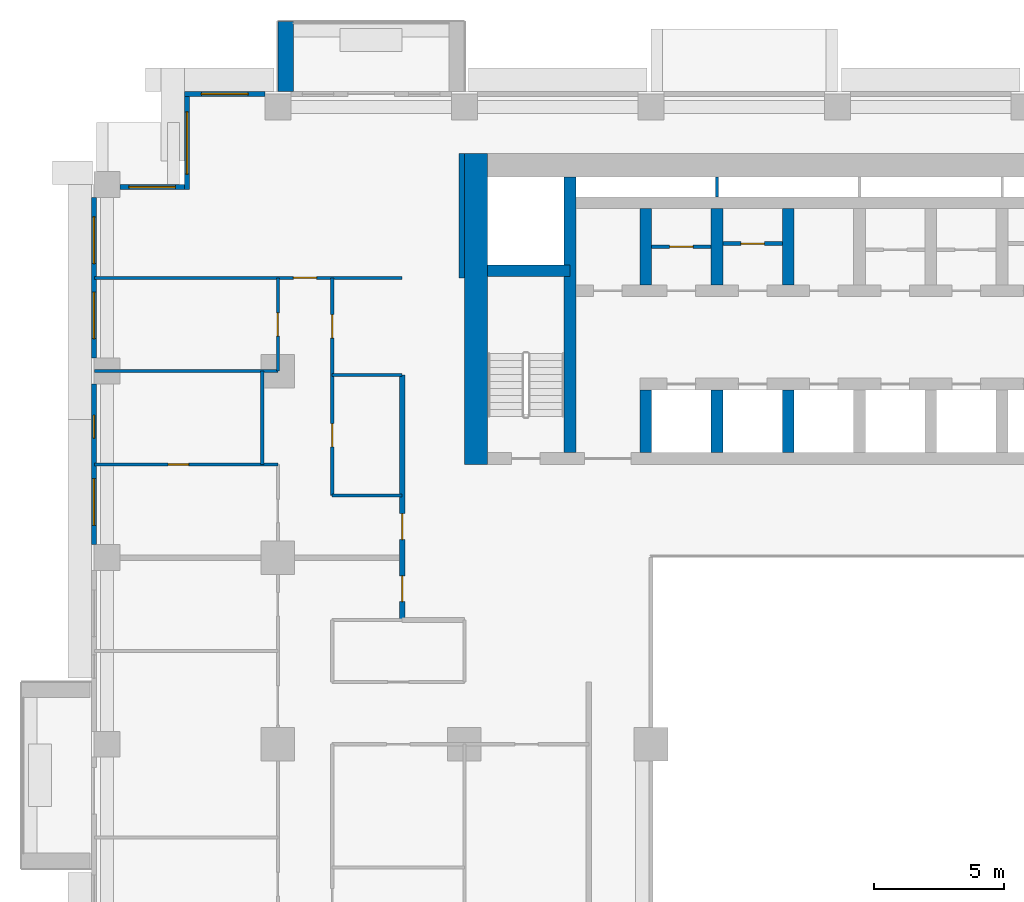
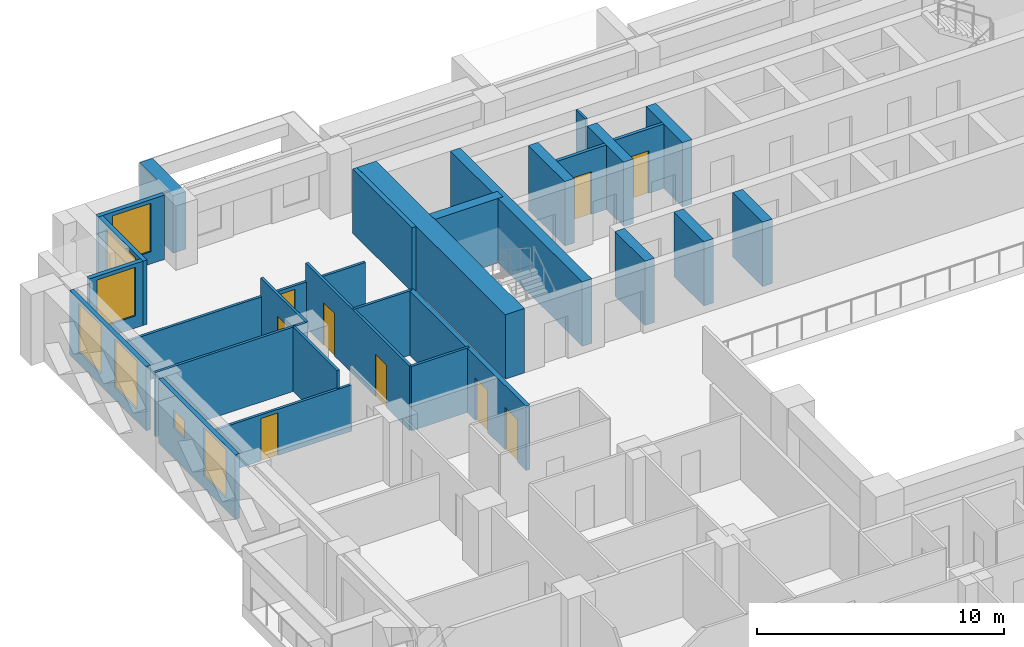
# One storey, part 9 of 16: 28 walls, 9 doors, 7 windows, 16 openings.
"""IFC4 building model written with IfcOpenShell, lengths in metres."""

from ifc_helpers import new_model, si_unit, direction, frame, frame_2d, origin, place, context, subcontext, project, spatial, rectangle, extrude, material, layer, layer_set, type_object, element, fill, save


model = new_model("IFC4")

# Units and contexts
model_context = context("Model", 3, precision=1e-05, world=origin(), true_north=direction((0.0, 1.0)))
body_context = subcontext(model_context, "Body", "Model", "MODEL_VIEW")
ifc_project = project(units=[si_unit("LENGTHUNIT", "METRE"), si_unit("AREAUNIT", "SQUARE_METRE"), si_unit("VOLUMEUNIT", "CUBIC_METRE"), si_unit("PLANEANGLEUNIT", "RADIAN"), si_unit("MASSUNIT", "GRAM", prefix="KILO")], contexts=[model_context])

# Site, building, storey
site_placement = place(None, origin())
site = spatial("IfcSite", under=ifc_project, at=site_placement, CompositionType="ELEMENT")
building_placement = place(site_placement, origin())
building = spatial("IfcBuilding", under=site, at=building_placement, Name="Saffron Iwan Residences", CompositionType="ELEMENT")
storey_placement = place(building_placement, frame((0.0, 0.0, 83.0)))
storey = spatial("IfcBuildingStorey", under=building, at=storey_placement, Name="L21", CompositionType="ELEMENT", Elevation=83.0)

# Wall
ifc_material_1 = material(Name="Concrete C50/60 white painted", Category="concrete")
ifc_layer_1 = layer(ifc_material_1, 0.60009765625)
ifc_layer_set_1 = layer_set([ifc_layer_1], Name="Concrete C50/60 white painted")
wall_type_1 = type_object("IfcWallType", Name="BALCONY FIN 600", PredefinedType="SOLIDWALL", material=ifc_layer_set_1)
wall_1_placement = place(storey_placement, frame((21.89990234375, 80.39990234375, 0.0), z_axis=(0.0, 0.0, 1.0), x_axis=(0.0, 1.0, 0.0)))
element("IfcWall", 1, at=wall_1_placement, inside=storey, type_object=wall_type_1, Name="Balcony fin L21 F5-3b", PredefinedType="SOLIDWALL", context=body_context, shape_type="SweptSolid", body=[
    extrude(rectangle(XDim=2.7001953125, YDim=0.60009765625, at=frame_2d((1.35009765625, 0.0))), origin(), (0.0, 0.0, 1.0), 2.85009765625),
])

# Wall, opening, door
ifc_material_2 = material(Name="Fire-rated plasterboard partition")
ifc_layer_2 = layer(ifc_material_2, 0.14990234375)
ifc_layer_set_2 = layer_set([ifc_layer_2], Name="Fire-rated plasterboard partition")
wall_type_2 = type_object("IfcWallType", Name="Core partition 150", PredefinedType="PARTITIONING", material=ifc_layer_set_2)
wall_2_placement = place(storey_placement, frame((36.02490234375, 74.39990234375, 0.0), z_axis=(0.0, 0.0, 1.0), x_axis=(1.0, 0.0, 0.0)))
wall_2 = element("IfcWall", 2, at=wall_2_placement, inside=storey, type_object=wall_type_2, Name="Core partition P01", PredefinedType="PARTITIONING", context=body_context, shape_type="SweptSolid", body=[
    extrude(rectangle(XDim=2.300048828125, YDim=0.14990234375, at=frame_2d((1.14990234375, 0.0))), origin(), (0.0, 0.0, 1.0), 3.179931640625),
])
opening_1_placement = place(wall_2_placement, frame((0.699951171875, 0.0, 0.0)))
opening_1 = element("IfcOpeningElement", 3, at=opening_1_placement, cuts=wall_2, Name="Opening SB", PredefinedType="OPENING", context=body_context, shape_type="SweptSolid", body=[
    extrude(rectangle(XDim=0.89990234375, YDim=2.10009765625, at=frame_2d((0.449951171875, 1.050048828125))), frame((0.0, 0.0849609375, 0.0), z_axis=(0.0, -1.0, 0.0), x_axis=(1.0, 0.0, 0.0)), (0.0, 0.0, 1.0), 0.169921875),
])
ifc_material_3 = material(Name="Steel fire door", Category="steel")
door_type_1 = type_object("IfcDoorType", Name="Store door 900", OperationType="NOTDEFINED", PredefinedType="DOOR", material=ifc_material_3)
door_1_placement = place(opening_1_placement, origin())
door_1 = element("IfcDoor", 4, at=door_1_placement, inside=storey, type_object=door_type_1, Name="Door Mop store", OperationType="SINGLE_SWING_LEFT", OverallHeight=2.10009765625, OverallWidth=0.89990234375, PredefinedType="DOOR", context=body_context, shape_type="SweptSolid", body=[
    extrude(rectangle(XDim=0.89990234375, YDim=2.10009765625, at=frame_2d((0.449951171875, 1.050048828125))), frame((0.0, 0.02490234375, 0.0), z_axis=(0.0, -1.0, 0.0), x_axis=(1.0, 0.0, 0.0)), (0.0, 0.0, 1.0), 0.050048828125),
])
fill(opening_1, door_1)

wall_3_placement = place(storey_placement, frame((38.77490234375, 74.51806640625, 0.0), z_axis=(0.0, 0.0, 1.0), x_axis=(1.0, 0.0, 0.0)))
wall_3 = element("IfcWall", 5, at=wall_3_placement, inside=storey, type_object=wall_type_2, Name="Core partition P02", PredefinedType="PARTITIONING", context=body_context, shape_type="SweptSolid", body=[
    extrude(rectangle(XDim=2.300048828125, YDim=0.14990234375, at=frame_2d((1.14990234375, 0.0))), origin(), (0.0, 0.0, 1.0), 3.179931640625),
])
opening_2_placement = place(wall_3_placement, frame((0.699951171875, 0.0, 0.0)))
opening_2 = element("IfcOpeningElement", 6, at=opening_2_placement, cuts=wall_3, Name="Opening SB", PredefinedType="OPENING", context=body_context, shape_type="SweptSolid", body=[
    extrude(rectangle(XDim=0.89990234375, YDim=2.10009765625, at=frame_2d((0.449951171875, 1.050048828125))), frame((0.0, 0.0849609375, 0.0), z_axis=(0.0, -1.0, 0.0), x_axis=(1.0, 0.0, 0.0)), (0.0, 0.0, 1.0), 0.169921875),
])
door_2_placement = place(opening_2_placement, origin())
door_2 = element("IfcDoor", 7, at=door_2_placement, inside=storey, type_object=door_type_1, Name="Door Spares store", OperationType="SINGLE_SWING_LEFT", OverallHeight=2.10009765625, OverallWidth=0.89990234375, PredefinedType="DOOR", context=body_context, shape_type="SweptSolid", body=[
    extrude(rectangle(XDim=0.89990234375, YDim=2.10009765625, at=frame_2d((0.449951171875, 1.050048828125))), frame((0.0, 0.02490234375, 0.0), z_axis=(0.0, -1.0, 0.0), x_axis=(1.0, 0.0, 0.0)), (0.0, 0.0, 1.0), 0.050048828125),
])
fill(opening_2, door_2)

# Wall, opening, window
ifc_material_4 = material(Name="Concrete C40/50", Category="concrete")
ifc_layer_3 = layer(ifc_material_4, 0.199951171875)
ifc_layer_set_3 = layer_set([ifc_layer_3], Name="Concrete C40/50")
wall_type_3 = type_object("IfcWallType", Name="EXTERNAL WALL 200", PredefinedType="SOLIDWALL", material=ifc_layer_set_3)
wall_4_placement = place(storey_placement, frame((21.10009765625, 80.300048828125, 0.0), z_axis=(0.0, 0.0, 1.0), x_axis=(-1.0, 0.0, 0.0)))
wall_4 = element("IfcWall", 8, at=wall_4_placement, inside=storey, type_object=wall_type_3, Name="External wall L21 F5.9", PredefinedType="SOLIDWALL", context=body_context, shape_type="SweptSolid", body=[
    extrude(rectangle(XDim=3.10009765625, YDim=0.199951171875, at=frame_2d((1.550048828125, 0.0))), origin(), (0.0, 0.0, 1.0), 3.179931640625),
])
opening_3_placement = place(wall_4_placement, frame((0.64990234375, 0.0, 0.60009765625)))
opening_3 = element("IfcOpeningElement", 9, at=opening_3_placement, cuts=wall_4, Name="Opening W8", PredefinedType="OPENING", context=body_context, shape_type="SweptSolid", body=[
    extrude(rectangle(XDim=1.800048828125, YDim=2.39990234375, at=frame_2d((0.89990234375, 1.199951171875))), frame((0.0, 0.10986328125, 0.0), z_axis=(0.0, -1.0, 0.0), x_axis=(1.0, 0.0, 0.0)), (0.0, 0.0, 1.0), 0.219970703125),
])
ifc_material_5 = material(Name="Clear glass, laminated double glazed", Category="glass")
window_type_1 = type_object("IfcWindowType", Name="WINDOW 1800 x 2400", PartitioningType="DOUBLE_PANEL_VERTICAL", PredefinedType="WINDOW", material=ifc_material_5)
window_1_placement = place(opening_3_placement, origin())
window_1 = element("IfcWindow", 10, at=window_1_placement, inside=storey, type_object=window_type_1, Name="Window L21 F5.0", OverallHeight=2.39990234375, OverallWidth=1.800048828125, PartitioningType="DOUBLE_PANEL_VERTICAL", PredefinedType="WINDOW", context=body_context, shape_type="SweptSolid", body=[
    extrude(rectangle(XDim=1.800048828125, YDim=2.39990234375, at=frame_2d((0.89990234375, 1.199951171875))), frame((0.0, 0.030029296875, 0.0), z_axis=(0.0, -1.0, 0.0), x_axis=(1.0, 0.0, 0.0)), (0.0, 0.0, 1.0), 0.06005859375),
])
fill(opening_3, window_1)

wall_5_placement = place(storey_placement, frame((18.10009765625, 80.199951171875, 0.0), z_axis=(0.0, 0.0, 1.0), x_axis=(0.0, -1.0, 0.0)))
wall_5 = element("IfcWall", 11, at=wall_5_placement, inside=storey, type_object=wall_type_3, Name="External wall L21 F6.0", PredefinedType="SOLIDWALL", context=body_context, shape_type="SweptSolid", body=[
    extrude(rectangle(XDim=3.599853515625, YDim=0.199951171875, at=frame_2d((1.7998046875, 0.0))), origin(), (0.0, 0.0, 1.0), 3.179931640625),
])
opening_4_placement = place(wall_5_placement, frame((0.60009765625, 0.0, 0.60009765625)))
opening_4 = element("IfcOpeningElement", 12, at=opening_4_placement, cuts=wall_5, Name="Opening W1", PredefinedType="OPENING", context=body_context, shape_type="SweptSolid", body=[
    extrude(rectangle(XDim=2.39990234375, YDim=2.39990234375, at=frame_2d((1.199951171875, 1.199951171875))), frame((0.0, 0.10986328125, 0.0), z_axis=(0.0, -1.0, 0.0), x_axis=(1.0, 0.0, 0.0)), (0.0, 0.0, 1.0), 0.219970703125),
])
window_type_2 = type_object("IfcWindowType", Name="WINDOW 2400 x 2400", PartitioningType="DOUBLE_PANEL_VERTICAL", PredefinedType="WINDOW", material=ifc_material_5)
window_2_placement = place(opening_4_placement, origin())
window_2 = element("IfcWindow", 13, at=window_2_placement, inside=storey, type_object=window_type_2, Name="Window L21 F6.0", OverallHeight=2.39990234375, OverallWidth=2.39990234375, PartitioningType="DOUBLE_PANEL_VERTICAL", PredefinedType="WINDOW", context=body_context, shape_type="SweptSolid", body=[
    extrude(rectangle(XDim=2.39990234375, YDim=2.39990234375, at=frame_2d((1.199951171875, 1.199951171875))), frame((0.0, 0.030029296875, 0.0), z_axis=(0.0, -1.0, 0.0), x_axis=(1.0, 0.0, 0.0)), (0.0, 0.0, 1.0), 0.06005859375),
])
fill(opening_4, window_2)

wall_6_placement = place(storey_placement, frame((18.0, 76.699951171875, 0.0), z_axis=(0.0, 0.0, 1.0), x_axis=(-1.0, 0.0, 0.0)))
wall_6 = element("IfcWall", 14, at=wall_6_placement, inside=storey, type_object=wall_type_3, Name="External wall L21 F7.0", PredefinedType="SOLIDWALL", context=body_context, shape_type="SweptSolid", body=[
    extrude(rectangle(XDim=2.5, YDim=0.199951171875, at=frame_2d((1.25, 0.0))), origin(), (0.0, 0.0, 1.0), 3.179931640625),
])
opening_5_placement = place(wall_6_placement, frame((0.35009765625, 0.0, 0.60009765625)))
opening_5 = element("IfcOpeningElement", 15, at=opening_5_placement, cuts=wall_6, Name="Opening W8", PredefinedType="OPENING", context=body_context, shape_type="SweptSolid", body=[
    extrude(rectangle(XDim=1.800048828125, YDim=2.39990234375, at=frame_2d((0.89990234375, 1.199951171875))), frame((0.0, 0.10986328125, 0.0), z_axis=(0.0, -1.0, 0.0), x_axis=(1.0, 0.0, 0.0)), (0.0, 0.0, 1.0), 0.219970703125),
])
window_3_placement = place(opening_5_placement, origin())
window_3 = element("IfcWindow", 16, at=window_3_placement, inside=storey, type_object=window_type_1, Name="Window L21 F7.0", OverallHeight=2.39990234375, OverallWidth=1.800048828125, PartitioningType="DOUBLE_PANEL_VERTICAL", PredefinedType="WINDOW", context=body_context, shape_type="SweptSolid", body=[
    extrude(rectangle(XDim=1.800048828125, YDim=2.39990234375, at=frame_2d((0.89990234375, 1.199951171875))), frame((0.0, 0.030029296875, 0.0), z_axis=(0.0, -1.0, 0.0), x_axis=(1.0, 0.0, 0.0)), (0.0, 0.0, 1.0), 0.06005859375),
])
fill(opening_5, window_3)

# Wall, openings, windows
wall_7_placement = place(storey_placement, frame((14.5, 76.300048828125, 0.0), z_axis=(0.0, 0.0, 1.0), x_axis=(0.0, -1.0, 0.0)))
wall_7 = element("IfcWall", 17, at=wall_7_placement, inside=storey, type_object=wall_type_3, Name="External wall L21 F8.0", PredefinedType="SOLIDWALL", context=body_context, shape_type="SweptSolid", body=[
    extrude(rectangle(XDim=6.199951171875, YDim=0.199951171875, at=frame_2d((3.10009765625, 0.0))), origin(), (0.0, 0.0, 1.0), 3.179931640625),
])
opening_6_placement = place(wall_7_placement, frame((3.64990234375, 0.0, 0.60009765625)))
opening_6 = element("IfcOpeningElement", 18, at=opening_6_placement, cuts=wall_7, Name="Opening W8", PredefinedType="OPENING", context=body_context, shape_type="SweptSolid", body=[
    extrude(rectangle(XDim=1.800048828125, YDim=2.39990234375, at=frame_2d((0.89990234375, 1.199951171875))), frame((0.0, 0.10986328125, 0.0), z_axis=(0.0, -1.0, 0.0), x_axis=(1.0, 0.0, 0.0)), (0.0, 0.0, 1.0), 0.219970703125),
])
opening_7_placement = place(wall_7_placement, frame((0.75, 0.0, 0.60009765625)))
opening_7 = element("IfcOpeningElement", 19, at=opening_7_placement, cuts=wall_7, Name="Opening W8", PredefinedType="OPENING", context=body_context, shape_type="SweptSolid", body=[
    extrude(rectangle(XDim=1.800048828125, YDim=2.39990234375, at=frame_2d((0.89990234375, 1.199951171875))), frame((0.0, 0.10986328125, 0.0), z_axis=(0.0, -1.0, 0.0), x_axis=(1.0, 0.0, 0.0)), (0.0, 0.0, 1.0), 0.219970703125),
])
window_4_placement = place(opening_6_placement, origin())
window_4 = element("IfcWindow", 20, at=window_4_placement, inside=storey, type_object=window_type_1, Name="Window L21 F8.0", OverallHeight=2.39990234375, OverallWidth=1.800048828125, PartitioningType="DOUBLE_PANEL_VERTICAL", PredefinedType="WINDOW", context=body_context, shape_type="SweptSolid", body=[
    extrude(rectangle(XDim=1.800048828125, YDim=2.39990234375, at=frame_2d((0.89990234375, 1.199951171875))), frame((0.0, 0.030029296875, 0.0), z_axis=(0.0, -1.0, 0.0), x_axis=(1.0, 0.0, 0.0)), (0.0, 0.0, 1.0), 0.06005859375),
])
fill(opening_6, window_4)
window_5_placement = place(opening_7_placement, origin())
window_5 = element("IfcWindow", 21, at=window_5_placement, inside=storey, type_object=window_type_1, Name="Window L21 F8.1", OverallHeight=2.39990234375, OverallWidth=1.800048828125, PartitioningType="DOUBLE_PANEL_VERTICAL", PredefinedType="WINDOW", context=body_context, shape_type="SweptSolid", body=[
    extrude(rectangle(XDim=1.800048828125, YDim=2.39990234375, at=frame_2d((0.89990234375, 1.199951171875))), frame((0.0, 0.030029296875, 0.0), z_axis=(0.0, -1.0, 0.0), x_axis=(1.0, 0.0, 0.0)), (0.0, 0.0, 1.0), 0.06005859375),
])
fill(opening_7, window_5)

wall_8_placement = place(storey_placement, frame((14.5, 69.10009765625, 0.0), z_axis=(0.0, 0.0, 1.0), x_axis=(0.0, -1.0, 0.0)))
wall_8 = element("IfcWall", 22, at=wall_8_placement, inside=storey, type_object=wall_type_3, Name="External wall L21 F8.1", PredefinedType="SOLIDWALL", context=body_context, shape_type="SweptSolid", body=[
    extrude(rectangle(XDim=6.2001953125, YDim=0.199951171875, at=frame_2d((3.10009765625, 0.0))), origin(), (0.0, 0.0, 1.0), 3.179931640625),
])
opening_8_placement = place(wall_8_placement, frame((3.64990234375, 0.0, 0.60009765625)))
opening_8 = element("IfcOpeningElement", 23, at=opening_8_placement, cuts=wall_8, Name="Opening W8", PredefinedType="OPENING", context=body_context, shape_type="SweptSolid", body=[
    extrude(rectangle(XDim=1.800048828125, YDim=2.39990234375, at=frame_2d((0.89990234375, 1.199951171875))), frame((0.0, 0.10986328125, 0.0), z_axis=(0.0, -1.0, 0.0), x_axis=(1.0, 0.0, 0.0)), (0.0, 0.0, 1.0), 0.219970703125),
])
opening_9_placement = place(wall_8_placement, frame((1.199951171875, 0.0, 1.5)))
opening_9 = element("IfcOpeningElement", 24, at=opening_9_placement, cuts=wall_8, Name="Opening W6", PredefinedType="OPENING", context=body_context, shape_type="SweptSolid", body=[
    extrude(rectangle(XDim=0.89990234375, YDim=0.89990234375, at=frame_2d((0.449951171875, 0.449951171875))), frame((0.0, 0.10986328125, 0.0), z_axis=(0.0, -1.0, 0.0), x_axis=(1.0, 0.0, 0.0)), (0.0, 0.0, 1.0), 0.219970703125),
])
window_6_placement = place(opening_8_placement, origin())
window_6 = element("IfcWindow", 25, at=window_6_placement, inside=storey, type_object=window_type_1, Name="Window L21 F8.0", OverallHeight=2.39990234375, OverallWidth=1.800048828125, PartitioningType="DOUBLE_PANEL_VERTICAL", PredefinedType="WINDOW", context=body_context, shape_type="SweptSolid", body=[
    extrude(rectangle(XDim=1.800048828125, YDim=2.39990234375, at=frame_2d((0.89990234375, 1.199951171875))), frame((0.0, 0.030029296875, 0.0), z_axis=(0.0, -1.0, 0.0), x_axis=(1.0, 0.0, 0.0)), (0.0, 0.0, 1.0), 0.06005859375),
])
fill(opening_8, window_6)
window_type_3 = type_object("IfcWindowType", Name="WINDOW 900 x 900 BATH", PartitioningType="SINGLE_PANEL", PredefinedType="WINDOW", material=ifc_material_5)
window_7_placement = place(opening_9_placement, origin())
window_7 = element("IfcWindow", 26, at=window_7_placement, inside=storey, type_object=window_type_3, Name="Window L21 F8.1", OverallHeight=0.89990234375, OverallWidth=0.89990234375, PartitioningType="SINGLE_PANEL", PredefinedType="WINDOW", context=body_context, shape_type="SweptSolid", body=[
    extrude(rectangle(XDim=0.89990234375, YDim=0.89990234375, at=frame_2d((0.449951171875, 0.449951171875))), frame((0.0, 0.030029296875, 0.0), z_axis=(0.0, -1.0, 0.0), x_axis=(1.0, 0.0, 0.0)), (0.0, 0.0, 1.0), 0.06005859375),
])
fill(opening_9, window_7)

# Wall
ifc_material_6 = material(Name="Gypsum board partition")
ifc_layer_4 = layer(ifc_material_6, 0.1201171875)
ifc_layer_set_4 = layer_set([ifc_layer_4], Name="Gypsum board partition")
wall_type_4 = type_object("IfcWallType", Name="Flat partition 120", PredefinedType="PARTITIONING", material=ifc_layer_set_4)
wall_9_placement = place(storey_placement, frame((23.699951171875, 64.800048828125, 0.0), z_axis=(0.0, 0.0, 1.0), x_axis=(1.0, 0.0, 0.0)))
element("IfcWall", 27, at=wall_9_placement, inside=storey, type_object=wall_type_4, Name="W-L21-PART-h64.8-23.7", PredefinedType="PARTITIONING", context=body_context, shape_type="SweptSolid", body=[
    extrude(rectangle(XDim=2.699951171875, YDim=0.1201171875, at=frame_2d((1.35009765625, 0.0))), origin(), (0.0, 0.0, 1.0), 3.179931640625),
])

# Wall, opening, door
wall_10_placement = place(storey_placement, frame((14.52490234375, 66.0, 0.0), z_axis=(0.0, 0.0, 1.0), x_axis=(1.0, 0.0, 0.0)))
wall_10 = element("IfcWall", 28, at=wall_10_placement, inside=storey, type_object=wall_type_4, Name="W-L21-PART-h66-14.525", PredefinedType="PARTITIONING", context=body_context, shape_type="SweptSolid", body=[
    extrude(rectangle(XDim=7.0751953125, YDim=0.1201171875, at=frame_2d((3.53759765625, 0.0))), origin(), (0.0, 0.0, 1.0), 2.280029296875),
])
opening_10_placement = place(wall_10_placement, frame((2.83740234375, 0.0, 0.0)))
opening_10 = element("IfcOpeningElement", 29, at=opening_10_placement, cuts=wall_10, Name="Opening FD3", PredefinedType="OPENING", context=body_context, shape_type="SweptSolid", body=[
    extrude(rectangle(XDim=0.800048828125, YDim=2.10009765625, at=frame_2d((0.39990234375, 1.050048828125))), frame((0.0, 0.070068359375, 0.0), z_axis=(0.0, -1.0, 0.0), x_axis=(1.0, 0.0, 0.0)), (0.0, 0.0, 1.0), 0.14013671875),
])
ifc_material_7 = material(Name="Timber door", Category="wood")
door_type_2 = type_object("IfcDoorType", Name="Bathroom door 800", OperationType="NOTDEFINED", PredefinedType="DOOR", material=ifc_material_7)
door_3_placement = place(opening_10_placement, origin())
door_3 = element("IfcDoor", 30, at=door_3_placement, inside=storey, type_object=door_type_2, Name="Door L21-029", OperationType="SINGLE_SWING_LEFT", OverallHeight=2.10009765625, OverallWidth=0.800048828125, PredefinedType="DOOR", context=body_context, shape_type="SweptSolid", body=[
    extrude(rectangle(XDim=0.800048828125, YDim=2.10009765625, at=frame_2d((0.39990234375, 1.050048828125))), frame((0.0, 0.02490234375, 0.0), z_axis=(0.0, -1.0, 0.0), x_axis=(1.0, 0.0, 0.0)), (0.0, 0.0, 1.0), 0.050048828125),
])
fill(opening_10, door_3)

# Walls
wall_11_placement = place(storey_placement, frame((23.699951171875, 69.449951171875, 0.0), z_axis=(0.0, 0.0, 1.0), x_axis=(1.0, 0.0, 0.0)))
element("IfcWall", 31, at=wall_11_placement, inside=storey, type_object=wall_type_4, Name="W-L21-PART-h69.45-23.7", PredefinedType="PARTITIONING", context=body_context, shape_type="SweptSolid", body=[
    extrude(rectangle(XDim=2.699951171875, YDim=0.1201171875, at=frame_2d((1.35009765625, 0.0))), origin(), (0.0, 0.0, 1.0), 3.179931640625),
])
wall_12_placement = place(storey_placement, frame((14.52490234375, 69.60009765625, 0.0), z_axis=(0.0, 0.0, 1.0), x_axis=(1.0, 0.0, 0.0)))
element("IfcWall", 32, at=wall_12_placement, inside=storey, type_object=wall_type_4, Name="W-L21-PART-h69.6-14.525", PredefinedType="PARTITIONING", context=body_context, shape_type="SweptSolid", body=[
    extrude(rectangle(XDim=7.0751953125, YDim=0.1201171875, at=frame_2d((3.53759765625, 0.0))), origin(), (0.0, 0.0, 1.0), 3.179931640625),
])

# Wall, opening, door
wall_13_placement = place(storey_placement, frame((14.52490234375, 73.199951171875, 0.0), z_axis=(0.0, 0.0, 1.0), x_axis=(1.0, 0.0, 0.0)))
wall_13 = element("IfcWall", 33, at=wall_13_placement, inside=storey, type_object=wall_type_4, Name="W-L21-PART-h73.2-14.525", PredefinedType="PARTITIONING", context=body_context, shape_type="SweptSolid", body=[
    extrude(rectangle(XDim=11.875, YDim=0.1201171875, at=frame_2d((5.9375, 0.0))), origin(), (0.0, 0.0, 1.0), 2.280029296875),
])
opening_11_placement = place(wall_13_placement, frame((7.675048828125, 0.0, 0.0)))
opening_11 = element("IfcOpeningElement", 34, at=opening_11_placement, cuts=wall_13, Name="Opening FD2", PredefinedType="OPENING", context=body_context, shape_type="SweptSolid", body=[
    extrude(rectangle(XDim=0.89990234375, YDim=2.10009765625, at=frame_2d((0.449951171875, 1.050048828125))), frame((0.0, 0.070068359375, 0.0), z_axis=(0.0, -1.0, 0.0), x_axis=(1.0, 0.0, 0.0)), (0.0, 0.0, 1.0), 0.14013671875),
])
door_type_3 = type_object("IfcDoorType", Name="Flat door 900", OperationType="NOTDEFINED", PredefinedType="DOOR", material=ifc_material_7)
door_4_placement = place(opening_11_placement, origin())
door_4 = element("IfcDoor", 35, at=door_4_placement, inside=storey, type_object=door_type_3, Name="Door L21-031", OperationType="SINGLE_SWING_RIGHT", OverallHeight=2.10009765625, OverallWidth=0.89990234375, PredefinedType="DOOR", context=body_context, shape_type="SweptSolid", body=[
    extrude(rectangle(XDim=0.89990234375, YDim=2.10009765625, at=frame_2d((0.449951171875, 1.050048828125))), frame((0.0, 0.02490234375, 0.0), z_axis=(0.0, -1.0, 0.0), x_axis=(1.0, 0.0, 0.0)), (0.0, 0.0, 1.0), 0.050048828125),
])
fill(opening_11, door_4)

# Wall
wall_14_placement = place(storey_placement, frame((21.0, 66.0, 0.0), z_axis=(0.0, 0.0, 1.0), x_axis=(0.0, 1.0, 0.0)))
element("IfcWall", 36, at=wall_14_placement, inside=storey, type_object=wall_type_4, Name="W-L21-PART-v21-66", PredefinedType="PARTITIONING", context=body_context, shape_type="SweptSolid", body=[
    extrude(rectangle(XDim=3.60009765625, YDim=0.1201171875, at=frame_2d((1.800048828125, 0.0))), origin(), (0.0, 0.0, 1.0), 3.179931640625),
])

# Wall, opening, door
wall_15_placement = place(storey_placement, frame((21.60009765625, 69.60009765625, 0.0), z_axis=(0.0, 0.0, 1.0), x_axis=(0.0, 1.0, 0.0)))
wall_15 = element("IfcWall", 37, at=wall_15_placement, inside=storey, type_object=wall_type_4, Name="W-L21-PART-v21.6-69.6", PredefinedType="PARTITIONING", context=body_context, shape_type="SweptSolid", body=[
    extrude(rectangle(XDim=3.599853515625, YDim=0.1201171875, at=frame_2d((1.7998046875, 0.0))), origin(), (0.0, 0.0, 1.0), 3.179931640625),
])
opening_12_placement = place(wall_15_placement, frame((1.35009765625, 0.0, 0.0)))
opening_12 = element("IfcOpeningElement", 38, at=opening_12_placement, cuts=wall_15, Name="Opening FD2", PredefinedType="OPENING", context=body_context, shape_type="SweptSolid", body=[
    extrude(rectangle(XDim=0.89990234375, YDim=2.10009765625, at=frame_2d((0.449951171875, 1.050048828125))), frame((0.0, 0.070068359375, 0.0), z_axis=(0.0, -1.0, 0.0), x_axis=(1.0, 0.0, 0.0)), (0.0, 0.0, 1.0), 0.14013671875),
])
door_5_placement = place(opening_12_placement, origin())
door_5 = element("IfcDoor", 39, at=door_5_placement, inside=storey, type_object=door_type_3, Name="Door L21-030", OperationType="SINGLE_SWING_LEFT", OverallHeight=2.10009765625, OverallWidth=0.89990234375, PredefinedType="DOOR", context=body_context, shape_type="SweptSolid", body=[
    extrude(rectangle(XDim=0.89990234375, YDim=2.10009765625, at=frame_2d((0.449951171875, 1.050048828125))), frame((0.0, 0.02490234375, 0.0), z_axis=(0.0, -1.0, 0.0), x_axis=(1.0, 0.0, 0.0)), (0.0, 0.0, 1.0), 0.050048828125),
])
fill(opening_12, door_5)

# Wall, openings, doors
wall_16_placement = place(storey_placement, frame((23.699951171875, 64.800048828125, 0.0), z_axis=(0.0, 0.0, 1.0), x_axis=(0.0, 1.0, 0.0)))
wall_16 = element("IfcWall", 40, at=wall_16_placement, inside=storey, type_object=wall_type_4, Name="W-L21-PART-v23.7-64.8", PredefinedType="PARTITIONING", context=body_context, shape_type="SweptSolid", body=[
    extrude(rectangle(XDim=8.39990234375, YDim=0.1201171875, at=frame_2d((4.199951171875, 0.0))), origin(), (0.0, 0.0, 1.0), 3.179931640625),
])
opening_13_placement = place(wall_16_placement, frame((1.875, 0.0, 0.0)))
opening_13 = element("IfcOpeningElement", 41, at=opening_13_placement, cuts=wall_16, Name="Opening FD2", PredefinedType="OPENING", context=body_context, shape_type="SweptSolid", body=[
    extrude(rectangle(XDim=0.89990234375, YDim=2.10009765625, at=frame_2d((0.449951171875, 1.050048828125))), frame((0.0, 0.070068359375, 0.0), z_axis=(0.0, -1.0, 0.0), x_axis=(1.0, 0.0, 0.0)), (0.0, 0.0, 1.0), 0.14013671875),
])
opening_14_placement = place(wall_16_placement, frame((6.074951171875, 0.0, 0.0)))
opening_14 = element("IfcOpeningElement", 42, at=opening_14_placement, cuts=wall_16, Name="Opening FD2", PredefinedType="OPENING", context=body_context, shape_type="SweptSolid", body=[
    extrude(rectangle(XDim=0.89990234375, YDim=2.10009765625, at=frame_2d((0.449951171875, 1.050048828125))), frame((0.0, 0.070068359375, 0.0), z_axis=(0.0, -1.0, 0.0), x_axis=(1.0, 0.0, 0.0)), (0.0, 0.0, 1.0), 0.14013671875),
])
door_6_placement = place(opening_13_placement, origin())
door_6 = element("IfcDoor", 43, at=door_6_placement, inside=storey, type_object=door_type_3, Name="Door L21-032", OperationType="SINGLE_SWING_LEFT", OverallHeight=2.10009765625, OverallWidth=0.89990234375, PredefinedType="DOOR", context=body_context, shape_type="SweptSolid", body=[
    extrude(rectangle(XDim=0.89990234375, YDim=2.10009765625, at=frame_2d((0.449951171875, 1.050048828125))), frame((0.0, 0.02490234375, 0.0), z_axis=(0.0, -1.0, 0.0), x_axis=(1.0, 0.0, 0.0)), (0.0, 0.0, 1.0), 0.050048828125),
])
fill(opening_13, door_6)
door_7_placement = place(opening_14_placement, origin())
door_7 = element("IfcDoor", 44, at=door_7_placement, inside=storey, type_object=door_type_3, Name="Door L21-033", OperationType="SINGLE_SWING_LEFT", OverallHeight=2.10009765625, OverallWidth=0.89990234375, PredefinedType="DOOR", context=body_context, shape_type="SweptSolid", body=[
    extrude(rectangle(XDim=0.89990234375, YDim=2.10009765625, at=frame_2d((0.449951171875, 1.050048828125))), frame((0.0, 0.02490234375, 0.0), z_axis=(0.0, -1.0, 0.0), x_axis=(1.0, 0.0, 0.0)), (0.0, 0.0, 1.0), 0.050048828125),
])
fill(opening_14, door_7)

ifc_material_8 = material(Name="Fire-rated gypsum board wall")
ifc_layer_5 = layer(ifc_material_8, 0.199951171875)
ifc_layer_set_5 = layer_set([ifc_layer_5], Name="Fire-rated gypsum board wall")
wall_type_5 = type_object("IfcWallType", Name="Gallery wall 200", PredefinedType="SOLIDWALL", material=ifc_layer_set_5)
wall_17_placement = place(storey_placement, frame((26.39990234375, 60.0, 0.0), z_axis=(0.0, 0.0, 1.0), x_axis=(0.0, 1.0, 0.0)))
wall_17 = element("IfcWall", 45, at=wall_17_placement, inside=storey, type_object=wall_type_5, Name="W-L21-CORR-v26.4-60", PredefinedType="SOLIDWALL", context=body_context, shape_type="SweptSolid", body=[
    extrude(rectangle(XDim=9.449951171875, YDim=0.199951171875, at=frame_2d((4.72509765625, 0.0))), origin(), (0.0, 0.0, 1.0), 3.179931640625),
])
opening_15_placement = place(wall_17_placement, frame((0.699951171875, 0.0, 0.0)))
opening_15 = element("IfcOpeningElement", 46, at=opening_15_placement, cuts=wall_17, Name="Opening FD1", PredefinedType="OPENING", context=body_context, shape_type="SweptSolid", body=[
    extrude(rectangle(XDim=1.0, YDim=2.10009765625, at=frame_2d((0.5, 1.050048828125))), frame((0.0, 0.10986328125, 0.0), z_axis=(0.0, -1.0, 0.0), x_axis=(1.0, 0.0, 0.0)), (0.0, 0.0, 1.0), 0.219970703125),
])
opening_16_placement = place(wall_17_placement, frame((3.10009765625, 0.0, 0.0)))
opening_16 = element("IfcOpeningElement", 47, at=opening_16_placement, cuts=wall_17, Name="Opening FD1", PredefinedType="OPENING", context=body_context, shape_type="SweptSolid", body=[
    extrude(rectangle(XDim=1.0, YDim=2.10009765625, at=frame_2d((0.5, 1.050048828125))), frame((0.0, 0.10986328125, 0.0), z_axis=(0.0, -1.0, 0.0), x_axis=(1.0, 0.0, 0.0)), (0.0, 0.0, 1.0), 0.219970703125),
])
ifc_material_9 = material(Name="Fire-rated timber door", Category="wood")
door_type_4 = type_object("IfcDoorType", Name="FD30S flat entrance door 1000", OperationType="NOTDEFINED", PredefinedType="DOOR", material=ifc_material_9)
door_8_placement = place(opening_15_placement, origin())
door_8 = element("IfcDoor", 48, at=door_8_placement, inside=storey, type_object=door_type_4, Name="Door L21-013", OperationType="SINGLE_SWING_RIGHT", OverallHeight=2.10009765625, OverallWidth=1.0, PredefinedType="DOOR", context=body_context, shape_type="SweptSolid", body=[
    extrude(rectangle(XDim=1.0, YDim=2.10009765625, at=frame_2d((0.5, 1.050048828125))), frame((0.0, 0.02490234375, 0.0), z_axis=(0.0, -1.0, 0.0), x_axis=(1.0, 0.0, 0.0)), (0.0, 0.0, 1.0), 0.050048828125),
])
fill(opening_15, door_8)
door_9_placement = place(opening_16_placement, origin())
door_9 = element("IfcDoor", 49, at=door_9_placement, inside=storey, type_object=door_type_4, Name="Door L21-027", OperationType="SINGLE_SWING_LEFT", OverallHeight=2.10009765625, OverallWidth=1.0, PredefinedType="DOOR", context=body_context, shape_type="SweptSolid", body=[
    extrude(rectangle(XDim=1.0, YDim=2.10009765625, at=frame_2d((0.5, 1.050048828125))), frame((0.0, 0.02490234375, 0.0), z_axis=(0.0, -1.0, 0.0), x_axis=(1.0, 0.0, 0.0)), (0.0, 0.0, 1.0), 0.050048828125),
])
fill(opening_16, door_9)

# Walls
wall_18_placement = place(storey_placement, frame((28.699951171875, 73.199951171875, 0.0), z_axis=(0.0, 0.0, 1.0), x_axis=(0.0, 1.0, 0.0)))
element("IfcWall", 50, at=wall_18_placement, inside=storey, type_object=wall_type_5, Name="W-L21-CORR-v28.8-73.2", PredefinedType="SOLIDWALL", context=body_context, shape_type="SweptSolid", body=[
    extrude(rectangle(XDim=4.800048828125, YDim=0.199951171875, at=frame_2d((2.39990234375, 0.0))), origin(), (0.0, 0.0, 1.0), 3.179931640625),
])
ifc_layer_6 = layer(ifc_material_2, 0.10009765625)
ifc_layer_set_6 = layer_set([ifc_layer_6], Name="Fire-rated plasterboard partition")
wall_type_6 = type_object("IfcWallType", Name="Riser partition 100", PredefinedType="PARTITIONING", material=ifc_layer_set_6)
wall_19_placement = place(storey_placement, frame((38.550048828125, 76.324951171875, 0.0), z_axis=(0.0, 0.0, 1.0), x_axis=(0.0, 1.0, 0.0)))
element("IfcWall", 51, at=wall_19_placement, inside=storey, type_object=wall_type_6, Name="Core partition P06", PredefinedType="PARTITIONING", context=body_context, shape_type="SweptSolid", body=[
    extrude(rectangle(XDim=0.775146484375, YDim=0.10009765625, at=frame_2d((0.3876953125, 0.0))), origin(), (0.0, 0.0, 1.0), 3.179931640625),
])
ifc_material_10 = material(Name="Concrete C60/75", Category="concrete")
ifc_layer_7 = layer(ifc_material_10, 0.449951171875)
ifc_layer_set_7 = layer_set([ifc_layer_7], Name="Concrete C60/75")
wall_type_7 = type_object("IfcWallType", Name="WALL CORE 450 C60/75 3180 HIGH", PredefinedType="SHEAR", material=ifc_layer_set_7)
wall_20_placement = place(storey_placement, frame((29.699951171875, 73.47509765625, 0.0), z_axis=(0.0, 0.0, 1.0), x_axis=(1.0, 0.0, 0.0)))
element("IfcWall", 52, at=wall_20_placement, inside=storey, type_object=wall_type_7, Name="Core wall", PredefinedType="SHEAR", context=body_context, shape_type="SweptSolid", body=[
    extrude(rectangle(XDim=3.175048828125, YDim=0.449951171875, at=frame_2d((1.58740234375, 0.0))), origin(), (0.0, 0.0, 1.0), 3.179931640625),
])
wall_21_placement = place(storey_placement, frame((32.875, 66.449951171875, 0.0), z_axis=(0.0, 0.0, 1.0), x_axis=(0.0, 1.0, 0.0)))
element("IfcWall", 53, at=wall_21_placement, inside=storey, type_object=wall_type_7, Name="Core wall", PredefinedType="SHEAR", context=body_context, shape_type="SweptSolid", body=[
    extrude(rectangle(XDim=10.650146484375, YDim=0.449951171875, at=frame_2d((5.3251953125, 0.0))), origin(), (0.0, 0.0, 1.0), 3.179931640625),
])
for number, where, z_axis, x_axis, name in (
    (54, (35.800048828125, 66.449951171875, 0.0), (0.0, 0.0, 1.0), (0.0, 1.0, 0.0), "Core wall"),
    (55, (38.550048828125, 66.449951171875, 0.0), (0.0, 0.0, 1.0), (0.0, 1.0, 0.0), "Core wall"),
    (56, (41.300048828125, 66.449951171875, 0.0), (0.0, 0.0, 1.0), (0.0, 1.0, 0.0), "Core wall"),
):
    element("IfcWall", number, at=place(storey_placement, frame(where, z_axis=z_axis, x_axis=x_axis)), inside=storey, type_object=wall_type_7, Name=name, PredefinedType="SHEAR", context=body_context, shape_type="SweptSolid", body=[
        extrude(rectangle(XDim=2.425048828125, YDim=0.449951171875, at=frame_2d((1.21240234375, 0.0))), origin(), (0.0, 0.0, 1.0), 3.179931640625),
    ])
for number, where, z_axis, x_axis, name in (
    (57, (35.800048828125, 72.925048828125, 0.0), (0.0, 0.0, 1.0), (0.0, 1.0, 0.0), "Core wall"),
    (58, (38.550048828125, 72.925048828125, 0.0), (0.0, 0.0, 1.0), (0.0, 1.0, 0.0), "Core wall"),
    (59, (41.300048828125, 72.925048828125, 0.0), (0.0, 0.0, 1.0), (0.0, 1.0, 0.0), "Core wall"),
):
    element("IfcWall", number, at=place(storey_placement, frame(where, z_axis=z_axis, x_axis=x_axis)), inside=storey, type_object=wall_type_7, Name=name, PredefinedType="SHEAR", context=body_context, shape_type="SweptSolid", body=[
        extrude(rectangle(XDim=2.949951171875, YDim=0.449951171875, at=frame_2d((1.47509765625, 0.0))), origin(), (0.0, 0.0, 1.0), 3.179931640625),
    ])
ifc_layer_8 = layer(ifc_material_10, 0.89990234375)
ifc_layer_set_8 = layer_set([ifc_layer_8], Name="Concrete C60/75")
wall_type_8 = type_object("IfcWallType", Name="WALL CORE 900 C60/75 3180 HIGH", PredefinedType="SHEAR", material=ifc_layer_set_8)
wall_22_placement = place(storey_placement, frame((29.25, 66.0, 0.0), z_axis=(0.0, 0.0, 1.0), x_axis=(0.0, 1.0, 0.0)))
element("IfcWall", 60, at=wall_22_placement, inside=storey, type_object=wall_type_8, Name="Core wall", PredefinedType="SHEAR", context=body_context, shape_type="SweptSolid", body=[
    extrude(rectangle(XDim=12.0, YDim=0.89990234375, at=frame_2d((6.0, 0.0))), origin(), (0.0, 0.0, 1.0), 3.179931640625),
])

save(model, "model.ifc")
